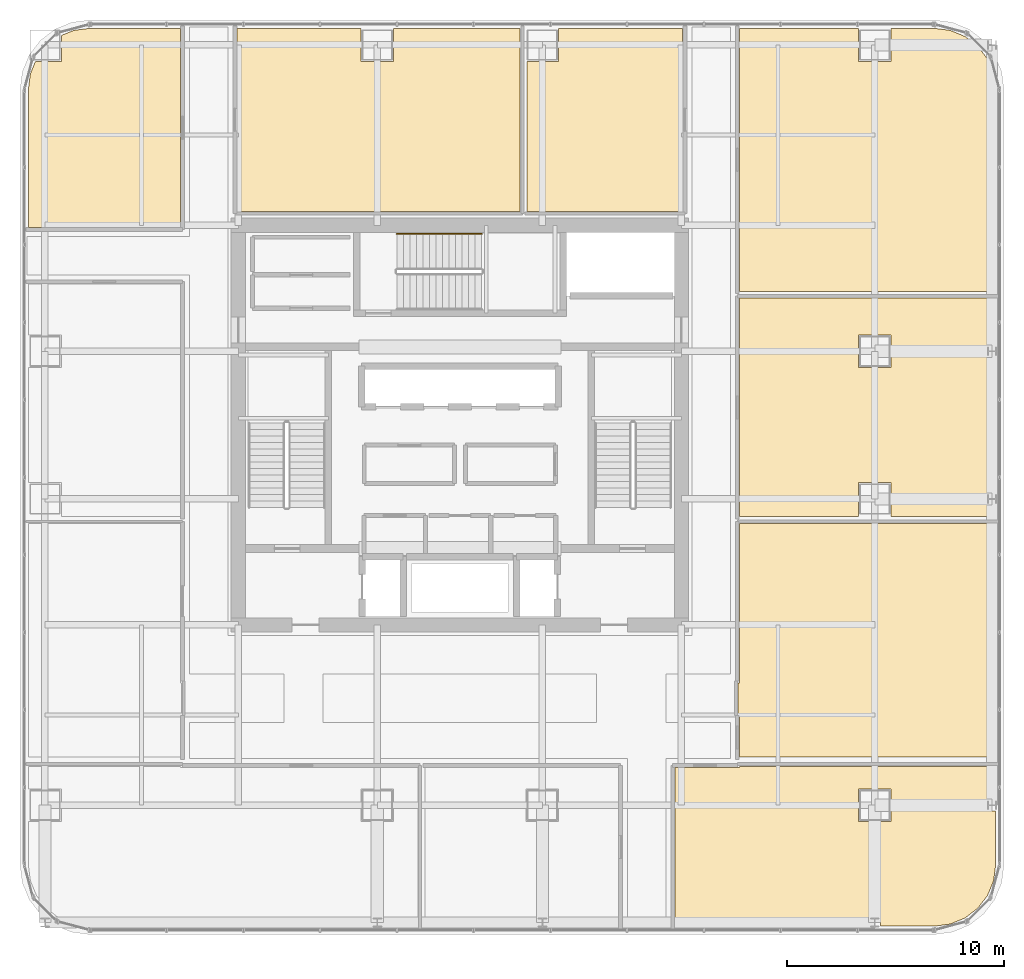
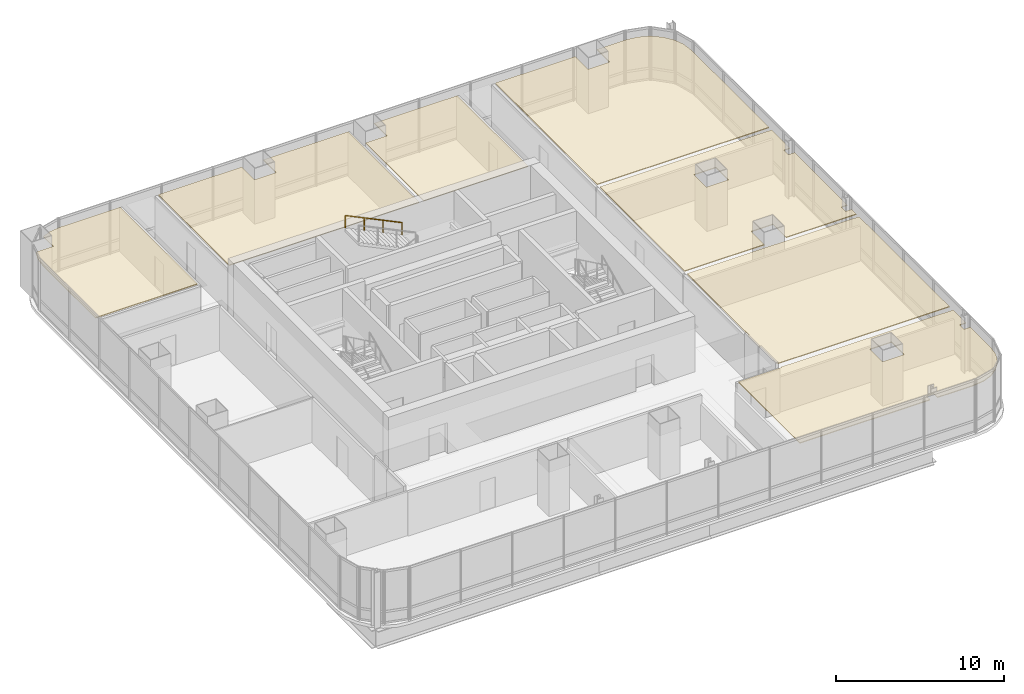
# One storey, part 36 of 36: 7 coverings, 1 railing.
"""IFC4 building model written with IfcOpenShell, lengths in metres."""

from ifc_helpers import new_model, si_unit, direction, frame, origin, origin_2d, place, context, subcontext, project, spatial, polyline, circle, outline, extrude, material, layer, layer_set, type_object, element, save


model = new_model("IFC4")

# Units and contexts
model_context = context("Model", 3, precision=1e-05, world=origin(), true_north=direction((0.0, 1.0)))
body_context = subcontext(model_context, "Body", "Model", "MODEL_VIEW")
ifc_project = project(units=[si_unit("LENGTHUNIT", "METRE"), si_unit("AREAUNIT", "SQUARE_METRE"), si_unit("VOLUMEUNIT", "CUBIC_METRE"), si_unit("PLANEANGLEUNIT", "RADIAN"), si_unit("MASSUNIT", "GRAM", prefix="KILO")], contexts=[model_context])

# Site, building, storey
site_placement = place(None, origin())
site = spatial("IfcSite", under=ifc_project, at=site_placement, CompositionType="ELEMENT")
building_placement = place(site_placement, origin())
building = spatial("IfcBuilding", under=site, at=building_placement, Name="Punatoya Terracotta Tower", CompositionType="ELEMENT")
storey_placement = place(building_placement, frame((0.0, 0.0, 208.64990234375)))
storey = spatial("IfcBuildingStorey", under=building, at=storey_placement, Name="L49", CompositionType="ELEMENT", Elevation=208.64990234375)

# Coverings
ifc_material_1 = material(Name="Acoustic Mineral Fibre Ceiling")
ifc_layer = layer(ifc_material_1, 0.06005859375)
ifc_layer_set = layer_set([ifc_layer], Name="Acoustic Mineral Fibre Ceiling")
covering_type = type_object("IfcCoveringType", Name="COV-CEIL-60", PredefinedType="CEILING", material=ifc_layer_set)
covering_1_placement = place(storey_placement, frame((0.0, 0.0, 3.22021484375)))
element("IfcCovering", 1, at=covering_1_placement, inside=storey, type_object=covering_type, Name="L49 Open-Plan Project Design Office Acoustic Ceiling", PredefinedType="CEILING", context=body_context, shape_type="SweptSolid", body=[
    extrude(outline(polyline([(12.8701171875, -15.77001953125), (9.89990234375, -15.77001953125), (9.89990234375, -23.070068359375), (18.845458984375, -23.070068359375), (18.845458984375, -22.637451171875), (19.3544921875, -22.637451171875), (19.3544921875, -23.070068359375), (21.8251953125, -23.070068359375), (22.5791015625, -22.970703125), (23.25830078125, -22.689453125), (23.841796875, -22.24169921875), (24.289306640625, -21.658203125), (24.57080078125, -20.97900390625), (24.669921875, -20.22509765625), (24.669921875, -17.762451171875), (24.24560546875, -17.762451171875), (24.24560546875, -17.237548828125), (24.669921875, -17.237548828125), (24.669921875, -15.7099609375), (12.8701171875, -15.7099609375), (12.8701171875, -15.77001953125)]), holes=[polyline([(19.85009765625, -18.25), (18.35009765625, -18.25), (18.35009765625, -16.75), (19.85009765625, -16.75), (19.85009765625, -18.25)])]), origin(), (0.0, 0.0, 1.0), 0.059814453125),
])
covering_2_placement = place(storey_placement, frame((0.0, 0.0, 3.22021484375)))
element("IfcCovering", 2, at=covering_2_placement, inside=storey, type_object=covering_type, Name="L49 Digital Reference Library Acoustic Ceiling", PredefinedType="CEILING", context=body_context, shape_type="SweptSolid", body=[
    extrude(outline(polyline([(12.81005859375, -13.280029296875), (12.8701171875, -13.280029296875), (12.8701171875, -15.2900390625), (24.669921875, -15.2900390625), (24.669921875, -4.5380859375), (12.8701171875, -4.5380859375), (12.8701171875, -11.8701171875), (12.81005859375, -11.8701171875), (12.81005859375, -13.280029296875)])), origin(), (0.0, 0.0, 1.0), 0.059814453125),
])
covering_3_placement = place(storey_placement, frame((0.0, 0.0, 3.22021484375)))
element("IfcCovering", 3, at=covering_3_placement, inside=storey, type_object=covering_type, Name="L49 Open-Plan Staff Tea Pantry Acoustic Ceiling", PredefinedType="CEILING", context=body_context, shape_type="SweptSolid", body=[
    extrude(outline(polyline([(18.35009765625, -4.218017578125), (18.35009765625, -2.64990234375), (19.85009765625, -2.64990234375), (19.85009765625, -4.218017578125), (24.669921875, -4.218017578125), (24.669921875, -3.66259765625), (24.24560546875, -3.66259765625), (24.24560546875, -3.137451171875), (24.669921875, -3.137451171875), (24.669921875, 3.137451171875), (24.24560546875, 3.137451171875), (24.24560546875, 3.66259765625), (24.669921875, 3.66259765625), (24.669921875, 5.842041015625), (12.8701171875, 5.842041015625), (12.8701171875, -4.218017578125), (18.35009765625, -4.218017578125)]), holes=[polyline([(18.35009765625, 4.14990234375), (19.85009765625, 4.14990234375), (19.85009765625, 2.64990234375), (18.35009765625, 2.64990234375), (18.35009765625, 4.14990234375)])]), origin(), (0.0, 0.0, 1.0), 0.059814453125),
])
covering_4_placement = place(storey_placement, frame((0.0, 0.0, 3.22021484375)))
element("IfcCovering", 4, at=covering_4_placement, inside=storey, type_object=covering_type, Name="L49 Open-Plan Systems Engineering Office Acoustic Ceiling", PredefinedType="CEILING", context=body_context, shape_type="SweptSolid", body=[
    extrude(outline(polyline([(18.35009765625, 18.27001953125), (12.8701171875, 18.27001953125), (12.8701171875, 6.162109375), (24.669921875, 6.162109375), (24.669921875, 15.425048828125), (24.57080078125, 16.178955078125), (24.289306640625, 16.8583984375), (23.841796875, 17.441650390625), (23.25830078125, 17.889404296875), (22.5791015625, 18.1708984375), (21.8251953125, 18.27001953125), (19.85009765625, 18.27001953125), (19.85009765625, 16.75), (18.35009765625, 16.75), (18.35009765625, 18.27001953125)])), origin(), (0.0, 0.0, 1.0), 0.059814453125),
])
covering_5_placement = place(storey_placement, frame((0.0, 0.0, 3.22021484375)))
element("IfcCovering", 5, at=covering_5_placement, inside=storey, type_object=covering_type, Name="L49 Open-Plan Quantitative Practice Office Acoustic Ceiling", PredefinedType="CEILING", context=body_context, shape_type="SweptSolid", body=[
    extrude(outline(polyline([(-19.770751953125, 16.178955078125), (-19.8701171875, 15.425048828125), (-19.8701171875, 9.10009765625), (-12.8701171875, 9.10009765625), (-12.8701171875, 18.27001953125), (-17.025146484375, 18.27001953125), (-17.779052734375, 18.1708984375), (-18.35009765625, 17.934326171875), (-18.35009765625, 16.75), (-19.5341796875, 16.75), (-19.770751953125, 16.178955078125)])), origin(), (0.0, 0.0, 1.0), 0.059814453125),
])
covering_6_placement = place(storey_placement, frame((0.0, 0.0, 3.22021484375)))
element("IfcCovering", 6, at=covering_6_placement, inside=storey, type_object=covering_type, Name="L49 Open-Plan Regional Operations Office Acoustic Ceiling", PredefinedType="CEILING", context=body_context, shape_type="SweptSolid", body=[
    extrude(outline(polyline([(-10.260009765625, 18.27001953125), (-10.260009765625, 9.840087890625), (2.77392578125, 9.840087890625), (2.77392578125, 18.27001953125), (-3.050048828125, 18.27001953125), (-3.050048828125, 16.75), (-4.550048828125, 16.75), (-4.550048828125, 18.27001953125), (-10.260009765625, 18.27001953125)])), origin(), (0.0, 0.0, 1.0), 0.059814453125),
])
covering_7_placement = place(storey_placement, frame((0.0, 0.0, 3.22021484375)))
element("IfcCovering", 7, at=covering_7_placement, inside=storey, type_object=covering_type, Name="L49 Open-Plan Global Desk Workplace Acoustic Ceiling", PredefinedType="CEILING", context=body_context, shape_type="SweptSolid", body=[
    extrude(outline(polyline([(4.550048828125, 18.27001953125), (4.550048828125, 16.75), (3.093994140625, 16.75), (3.093994140625, 9.840087890625), (10.260009765625, 9.840087890625), (10.260009765625, 18.27001953125), (4.550048828125, 18.27001953125)])), origin(), (0.0, 0.0, 1.0), 0.059814453125),
])

# Railing
ifc_material_2 = material(Name="Steel S355", Category="steel")
railing_type = type_object("IfcRailingType", Name="RLG-HND-900", PredefinedType="HANDRAIL", material=ifc_material_2)
railing_placement = place(storey_placement, frame((1.0, 8.800048828125, 2.169677734375)))
element("IfcRailing", 8, at=railing_placement, inside=storey, type_object=railing_type, Name="L49 ST-3 stair handrail 2", PredefinedType="HANDRAIL", context=body_context, shape_type="SweptSolid", body=[
    extrude(circle(Radius=0.02392578125, at=origin_2d()), frame((0.0, 0.0, 0.8759765625), z_axis=(-0.900763166376, 0.0, 0.434310623978), x_axis=(0.0, -1.0, 0.0)), (0.0, 0.0, 1.0), 4.32958984375),
    extrude(circle(Radius=0.02099609375, at=origin_2d()), origin(), (0.0, 0.0, 1.0), 0.851806640625),
    extrude(circle(Radius=0.02099609375, at=origin_2d()), frame((-1.300048828125, 0.0, 0.626708984375)), (0.0, 0.0, 1.0), 0.851806640625),
    extrude(circle(Radius=0.02099609375, at=origin_2d()), frame((-2.599853515625, 0.0, 1.253662109375)), (0.0, 0.0, 1.0), 0.851806640625),
    extrude(circle(Radius=0.02099609375, at=origin_2d()), frame((-3.89990234375, 0.0, 1.88037109375)), (0.0, 0.0, 1.0), 0.851806640625),
])

save(model, "model.ifc")
